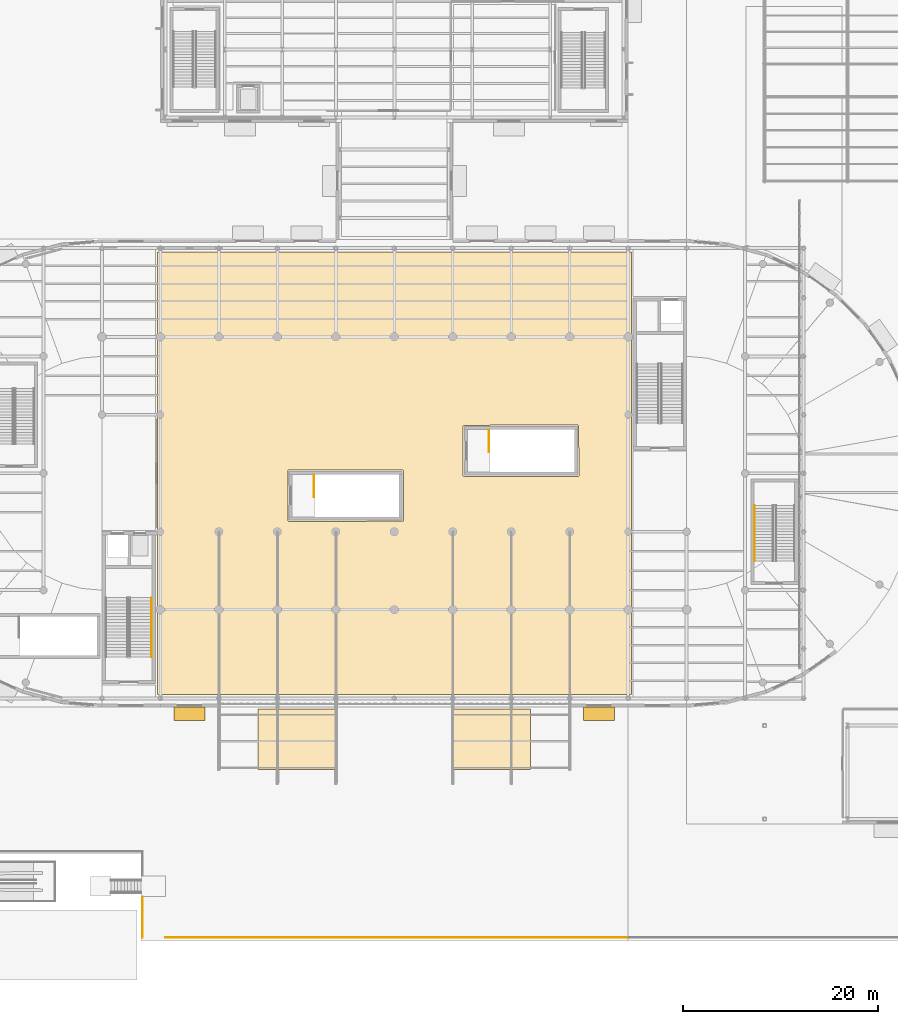
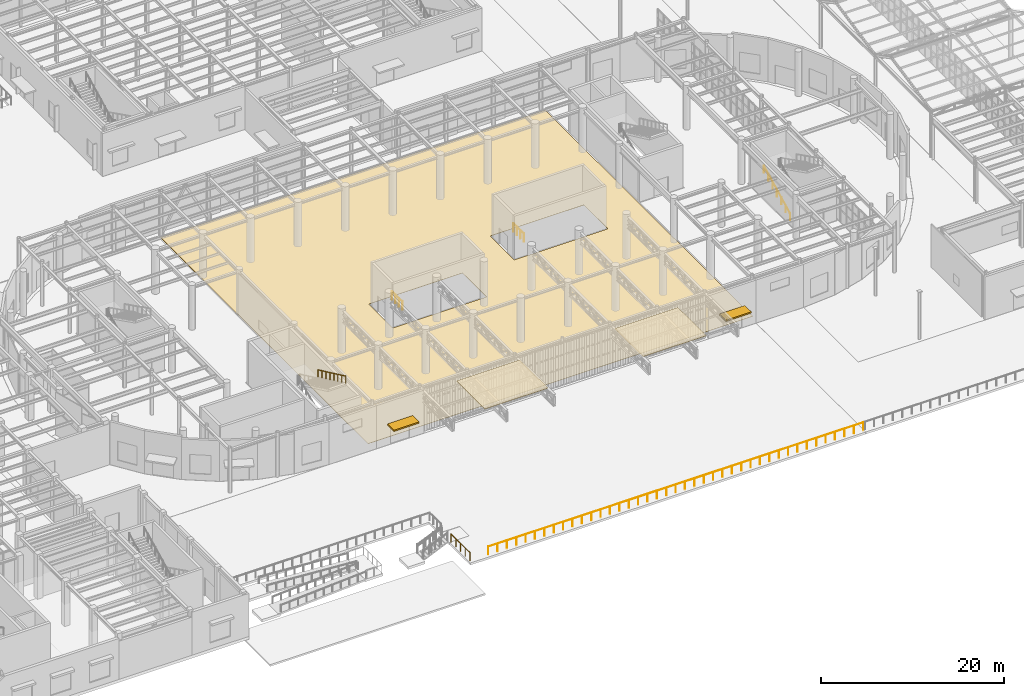
# One storey, part 107 of 118: 6 railings, 3 coverings, 2 shading devices, 2 elements without a shape of their own.
"""IFC4 building model written with IfcOpenShell, lengths in metres."""

from ifc_helpers import new_model, si_unit, direction, frame, origin, origin_2d, place, context, subcontext, project, spatial, polyline, rectangle, circle, outline, extrude, material, layer, layer_set, type_object, element, aggregate, save


model = new_model("IFC4")

# Units and contexts
model_context = context("Model", 3, precision=1e-05, world=origin(), true_north=direction((0.0, 1.0)))
body_context = subcontext(model_context, "Body", "Model", "MODEL_VIEW")
ifc_project = project(units=[si_unit("LENGTHUNIT", "METRE"), si_unit("AREAUNIT", "SQUARE_METRE"), si_unit("VOLUMEUNIT", "CUBIC_METRE"), si_unit("PLANEANGLEUNIT", "RADIAN"), si_unit("MASSUNIT", "GRAM", prefix="KILO")], contexts=[model_context])

# Site, building, storey
site_placement = place(None, origin())
site = spatial("IfcSite", under=ifc_project, at=site_placement, CompositionType="ELEMENT")
building_placement = place(site_placement, origin())
building = spatial("IfcBuilding", under=site, at=building_placement, Name="Kolvaren Corner Interchange", CompositionType="ELEMENT")
storey_placement = place(building_placement, origin())
storey = spatial("IfcBuildingStorey", under=building, at=storey_placement, Name="L01", CompositionType="ELEMENT", Elevation=0.0)

# Coverings
ifc_material_1 = material(Name="Polished Niger Delta Granite Terrazzo Flooring", Category="masonry")
ifc_layer_1 = layer(ifc_material_1, 0.030029296875)
ifc_layer_set_1 = layer_set([ifc_layer_1], Name="Polished Niger Delta Granite Terrazzo Flooring")
covering_type_1 = type_object("IfcCoveringType", Name="COV-FLR-TER30", PredefinedType="FLOORING", material=ifc_layer_set_1)
covering_1_placement = place(storey_placement, origin())
element("IfcCovering", 1, at=covering_1_placement, inside=storey, type_object=covering_type_1, Name="L01 Intermodal Grand Concourse Floor Finish", PredefinedType="FLOORING", context=body_context, shape_type="SweptSolid", body=[
    extrude(outline(polyline([(65.679931640625, 25.280029296875), (114.320068359375, 25.280029296875), (114.320068359375, 70.719970703125), (65.679931640625, 70.719970703125), (65.679931640625, 25.280029296875)]), holes=[polyline([(97.093505859375, 47.693359375), (97.070068359375, 47.75), (97.070068359375, 52.85009765625), (97.08349609375, 52.894287109375), (97.119384765625, 52.923828125), (108.85009765625, 52.929931640625), (108.894287109375, 52.91650390625), (108.923828125, 52.880615234375), (108.929931640625, 47.75), (108.91650390625, 47.70556640625), (108.880615234375, 47.676025390625), (97.14990234375, 47.669921875), (97.093505859375, 47.693359375)]), polyline([(79.093505859375, 43.093505859375), (79.070068359375, 43.14990234375), (79.070068359375, 48.25), (79.08349609375, 48.29443359375), (79.119384765625, 48.323974609375), (90.85009765625, 48.330078125), (90.894287109375, 48.31640625), (90.923828125, 48.280517578125), (90.929931640625, 43.14990234375), (90.91650390625, 43.105712890625), (90.880615234375, 43.076171875), (79.14990234375, 43.070068359375), (79.093505859375, 43.093505859375)])]), origin(), (0.0, 0.0, 1.0), 0.030029296875),
])
ifc_material_2 = material(Name="Perforated Aluminium Acoustic Soffit Panel", Category="aluminium")
ifc_layer_2 = layer(ifc_material_2, 0.044921875)
ifc_layer_set_2 = layer_set([ifc_layer_2], Name="Perforated Aluminium Acoustic Soffit Panel")
covering_type_2 = type_object("IfcCoveringType", Name="COV-SOFFIT-45", PredefinedType="CEILING", material=ifc_layer_set_2)
covering_2_placement = place(storey_placement, frame((0.0, 0.0, 5.675048828125)))
element("IfcCovering", 2, at=covering_2_placement, inside=storey, type_object=covering_type_2, Name="South Portal West Wing Acoustic Soffit", PredefinedType="CEILING", context=body_context, shape_type="SweptSolid", body=[
    extrude(outline(polyline([(76.0, 17.60009765625), (84.0, 17.60009765625), (84.0, 23.800048828125), (76.0, 23.800048828125), (76.0, 17.60009765625)])), origin(), (0.0, 0.0, 1.0), 0.044921875),
])
covering_3_placement = place(storey_placement, frame((0.0, 0.0, 5.675048828125)))
element("IfcCovering", 3, at=covering_3_placement, inside=storey, type_object=covering_type_2, Name="South Portal East Wing Acoustic Soffit", PredefinedType="CEILING", context=body_context, shape_type="SweptSolid", body=[
    extrude(outline(polyline([(96.0, 17.60009765625), (104.0, 17.60009765625), (104.0, 23.800048828125), (96.0, 23.800048828125), (96.0, 17.60009765625)])), origin(), (0.0, 0.0, 1.0), 0.044921875),
])

# Railings
ifc_material_3 = material(Name="Hot-Dip Galvanised Steel Guardrail", Category="steel")
railing_type_1 = type_object("IfcRailingType", Name="RLT-PLINTH-GRD1120", PredefinedType="GUARDRAIL", material=ifc_material_3)
railing_1_placement = place(storey_placement, frame((66.5, 0.3798828125, 0.0)))
element("IfcRailing", 4, at=railing_1_placement, inside=storey, type_object=railing_type_1, Name="South Forecourt Plinth Edge Guardrail", PredefinedType="GUARDRAIL", context=body_context, shape_type="SweptSolid", body=[
    extrude(circle(Radius=0.02392578125, at=origin_2d()), frame((0.0, 0.0, 1.09619140625), z_axis=(1.0, 0.0, 0.0), x_axis=(0.0, 1.0, 0.0)), (0.0, 0.0, 1.0), 47.39990234375),
    extrude(circle(Radius=0.02099609375, at=origin_2d()), origin(), (0.0, 0.0, 1.0), 1.072021484375),
    extrude(circle(Radius=0.02099609375, at=origin_2d()), frame((1.18505859375, 0.0, 0.0)), (0.0, 0.0, 1.0), 1.072021484375),
    extrude(circle(Radius=0.02099609375, at=origin_2d()), frame((2.3701171875, 0.0, 0.0)), (0.0, 0.0, 1.0), 1.072021484375),
    extrude(circle(Radius=0.02099609375, at=origin_2d()), frame((3.554931640625, 0.0, 0.0)), (0.0, 0.0, 1.0), 1.072021484375),
    extrude(circle(Radius=0.02099609375, at=origin_2d()), frame((4.739990234375, 0.0, 0.0)), (0.0, 0.0, 1.0), 1.072021484375),
    extrude(circle(Radius=0.02099609375, at=origin_2d()), frame((5.925048828125, 0.0, 0.0)), (0.0, 0.0, 1.0), 1.072021484375),
    extrude(circle(Radius=0.02099609375, at=origin_2d()), frame((7.10986328125, 0.0, 0.0)), (0.0, 0.0, 1.0), 1.072021484375),
    extrude(circle(Radius=0.02099609375, at=origin_2d()), frame((8.294921875, 0.0, 0.0)), (0.0, 0.0, 1.0), 1.072021484375),
    extrude(circle(Radius=0.02099609375, at=origin_2d()), frame((9.47998046875, 0.0, 0.0)), (0.0, 0.0, 1.0), 1.072021484375),
    extrude(circle(Radius=0.02099609375, at=origin_2d()), frame((10.6650390625, 0.0, 0.0)), (0.0, 0.0, 1.0), 1.072021484375),
    extrude(circle(Radius=0.02099609375, at=origin_2d()), frame((11.85009765625, 0.0, 0.0)), (0.0, 0.0, 1.0), 1.072021484375),
    extrude(circle(Radius=0.02099609375, at=origin_2d()), frame((13.034912109375, 0.0, 0.0)), (0.0, 0.0, 1.0), 1.072021484375),
    extrude(circle(Radius=0.02099609375, at=origin_2d()), frame((14.219970703125, 0.0, 0.0)), (0.0, 0.0, 1.0), 1.072021484375),
    extrude(circle(Radius=0.02099609375, at=origin_2d()), frame((15.405029296875, 0.0, 0.0)), (0.0, 0.0, 1.0), 1.072021484375),
    extrude(circle(Radius=0.02099609375, at=origin_2d()), frame((16.58984375, 0.0, 0.0)), (0.0, 0.0, 1.0), 1.072021484375),
    extrude(circle(Radius=0.02099609375, at=origin_2d()), frame((17.77490234375, 0.0, 0.0)), (0.0, 0.0, 1.0), 1.072021484375),
    extrude(circle(Radius=0.02099609375, at=origin_2d()), frame((18.9599609375, 0.0, 0.0)), (0.0, 0.0, 1.0), 1.072021484375),
    extrude(circle(Radius=0.02099609375, at=origin_2d()), frame((20.14501953125, 0.0, 0.0)), (0.0, 0.0, 1.0), 1.072021484375),
    extrude(circle(Radius=0.02099609375, at=origin_2d()), frame((21.330078125, 0.0, 0.0)), (0.0, 0.0, 1.0), 1.072021484375),
    extrude(circle(Radius=0.02099609375, at=origin_2d()), frame((22.514892578125, 0.0, 0.0)), (0.0, 0.0, 1.0), 1.072021484375),
    extrude(circle(Radius=0.02099609375, at=origin_2d()), frame((23.699951171875, 0.0, 0.0)), (0.0, 0.0, 1.0), 1.072021484375),
    extrude(circle(Radius=0.02099609375, at=origin_2d()), frame((24.885009765625, 0.0, 0.0)), (0.0, 0.0, 1.0), 1.072021484375),
    extrude(circle(Radius=0.02099609375, at=origin_2d()), frame((26.070068359375, 0.0, 0.0)), (0.0, 0.0, 1.0), 1.072021484375),
    extrude(circle(Radius=0.02099609375, at=origin_2d()), frame((27.2548828125, 0.0, 0.0)), (0.0, 0.0, 1.0), 1.072021484375),
    extrude(circle(Radius=0.02099609375, at=origin_2d()), frame((28.43994140625, 0.0, 0.0)), (0.0, 0.0, 1.0), 1.072021484375),
    extrude(circle(Radius=0.02099609375, at=origin_2d()), frame((29.625, 0.0, 0.0)), (0.0, 0.0, 1.0), 1.072021484375),
    extrude(circle(Radius=0.02099609375, at=origin_2d()), frame((30.81005859375, 0.0, 0.0)), (0.0, 0.0, 1.0), 1.072021484375),
    extrude(circle(Radius=0.02099609375, at=origin_2d()), frame((31.994873046875, 0.0, 0.0)), (0.0, 0.0, 1.0), 1.072021484375),
    extrude(circle(Radius=0.02099609375, at=origin_2d()), frame((33.179931640625, 0.0, 0.0)), (0.0, 0.0, 1.0), 1.072021484375),
    extrude(circle(Radius=0.02099609375, at=origin_2d()), frame((34.364990234375, 0.0, 0.0)), (0.0, 0.0, 1.0), 1.072021484375),
    extrude(circle(Radius=0.02099609375, at=origin_2d()), frame((35.5498046875, 0.0, 0.0)), (0.0, 0.0, 1.0), 1.072021484375),
    extrude(circle(Radius=0.02099609375, at=origin_2d()), frame((36.73486328125, 0.0, 0.0)), (0.0, 0.0, 1.0), 1.072021484375),
    extrude(circle(Radius=0.02099609375, at=origin_2d()), frame((37.919921875, 0.0, 0.0)), (0.0, 0.0, 1.0), 1.072021484375),
    extrude(circle(Radius=0.02099609375, at=origin_2d()), frame((39.10498046875, 0.0, 0.0)), (0.0, 0.0, 1.0), 1.072021484375),
    extrude(circle(Radius=0.02099609375, at=origin_2d()), frame((40.2900390625, 0.0, 0.0)), (0.0, 0.0, 1.0), 1.072021484375),
    extrude(circle(Radius=0.02099609375, at=origin_2d()), frame((41.474853515625, 0.0, 0.0)), (0.0, 0.0, 1.0), 1.072021484375),
    extrude(circle(Radius=0.02099609375, at=origin_2d()), frame((42.659912109375, 0.0, 0.0)), (0.0, 0.0, 1.0), 1.072021484375),
    extrude(circle(Radius=0.02099609375, at=origin_2d()), frame((43.844970703125, 0.0, 0.0)), (0.0, 0.0, 1.0), 1.072021484375),
    extrude(circle(Radius=0.02099609375, at=origin_2d()), frame((45.02978515625, 0.0, 0.0)), (0.0, 0.0, 1.0), 1.072021484375),
    extrude(circle(Radius=0.02099609375, at=origin_2d()), frame((46.21484375, 0.0, 0.0)), (0.0, 0.0, 1.0), 1.072021484375),
    extrude(circle(Radius=0.02099609375, at=origin_2d()), frame((47.39990234375, 0.0, 0.0)), (0.0, 0.0, 1.0), 1.072021484375),
])
railing_2_placement = place(storey_placement, frame((64.179931640625, 0.3798828125, 0.0)))
element("IfcRailing", 5, at=railing_2_placement, inside=storey, type_object=railing_type_1, Name="Southwest Ramp Cutout Lower Plinth Guardrail", PredefinedType="GUARDRAIL", context=body_context, shape_type="SweptSolid", body=[
    extrude(circle(Radius=0.02392578125, at=origin_2d()), frame((0.0, 0.0, 1.09619140625), z_axis=(0.0, 1.0, 0.0), x_axis=(-1.0, 0.0, 0.0)), (0.0, 0.0, 1.0), 4.1201171875),
    extrude(circle(Radius=0.02099609375, at=origin_2d()), origin(), (0.0, 0.0, 1.0), 1.072021484375),
    extrude(circle(Radius=0.02099609375, at=origin_2d()), frame((0.0, 1.030029296875, 0.0)), (0.0, 0.0, 1.0), 1.072021484375),
    extrude(circle(Radius=0.02099609375, at=origin_2d()), frame((0.0, 2.06005859375, 0.0)), (0.0, 0.0, 1.0), 1.072021484375),
    extrude(circle(Radius=0.02099609375, at=origin_2d()), frame((0.0, 3.090087890625, 0.0)), (0.0, 0.0, 1.0), 1.072021484375),
    extrude(circle(Radius=0.02099609375, at=origin_2d()), frame((0.0, 4.1201171875, 0.0)), (0.0, 0.0, 1.0), 1.072021484375),
])
ifc_material_4 = material(Name="Powder-Coated Steel Stairwell Guardrail", Category="steel")
railing_type_2 = type_object("IfcRailingType", Name="RLT-STAIR-GRD1120", PredefinedType="GUARDRAIL", material=ifc_material_4)
for number, where, name in (
    (6, (81.739990234375, 47.840087890625, 0.0), "Metro Island Platform West Transfer Stair L01 Landing Edge Guardrail"),
    (7, (99.739990234375, 52.43994140625, 0.0), "Metro Island Platform East Transfer Stair L01 Landing Edge Guardrail"),
):
    element("IfcRailing", number, at=place(storey_placement, frame(where)), inside=storey, type_object=railing_type_2, Name=name, PredefinedType="GUARDRAIL", context=body_context, shape_type="SweptSolid", body=[
        extrude(circle(Radius=0.02392578125, at=origin_2d()), frame((0.0, 0.0, 1.09619140625), z_axis=(0.0, -1.0, 0.0), x_axis=(1.0, 0.0, 0.0)), (0.0, 0.0, 1.0), 2.280029296875),
        extrude(circle(Radius=0.02001953125, at=origin_2d()), origin(), (0.0, 0.0, 1.0), 1.072021484375),
        extrude(circle(Radius=0.02001953125, at=origin_2d()), frame((0.0, -0.760009765625, 0.0)), (0.0, 0.0, 1.0), 1.072021484375),
        extrude(circle(Radius=0.02001953125, at=origin_2d()), frame((0.0, -1.52001953125, 0.0)), (0.0, 0.0, 1.0), 1.072021484375),
        extrude(circle(Radius=0.02001953125, at=origin_2d()), frame((0.0, -2.280029296875, 0.0)), (0.0, 0.0, 1.0), 1.072021484375),
    ])

# Stair, railing
ifc_material_5 = material(Name="Concrete C35/45", Category="concrete")
stair_type_1 = type_object("IfcStairType", Name="ST-TR-2300", PredefinedType="HALF_TURN_STAIR", material=ifc_material_5)
stair_1_placement = place(storey_placement, origin())
stair_1 = element("IfcStair", 8, at=stair_1_placement, inside=storey, type_object=stair_type_1, Name="Core C3 West Concourse Transfer Stair L01 to L02 Stair", PredefinedType="HALF_TURN_STAIR")
ifc_material_6 = material(Name="Brushed Stainless Steel Stair Handrail", Category="steel")
railing_type_3 = type_object("IfcRailingType", Name="RLT-STAIR-HR950", PredefinedType="HANDRAIL", material=ifc_material_6)
railing_3_placement = place(storey_placement, frame((65.090087890625, 35.22998046875, 3.14990234375)))
railing_3 = element("IfcRailing", 9, at=railing_3_placement, type_object=railing_type_3, Name="Core C3 West Concourse Transfer Stair L01 Upper Flight Wall Handrail", PredefinedType="HANDRAIL", context=body_context, shape_type="SweptSolid", body=[
    extrude(circle(Radius=0.02197265625, at=origin_2d()), frame((0.0, 0.0, 0.927978515625), z_axis=(0.0, -0.905455442782, 0.424441328262), x_axis=(1.0, 0.0, 0.0)), (0.0, 0.0, 1.0), 6.71484375),
    extrude(circle(Radius=0.01806640625, at=origin_2d()), origin(), (0.0, 0.0, 1.0), 0.906005859375),
    extrude(circle(Radius=0.01806640625, at=origin_2d()), frame((0.0, -0.86865234375, 0.4072265625)), (0.0, 0.0, 1.0), 0.906005859375),
    extrude(circle(Radius=0.01806640625, at=origin_2d()), frame((0.0, -1.737060546875, 0.814208984375)), (0.0, 0.0, 1.0), 0.906005859375),
    extrude(circle(Radius=0.01806640625, at=origin_2d()), frame((0.0, -2.605712890625, 1.221435546875)), (0.0, 0.0, 1.0), 0.906005859375),
    extrude(circle(Radius=0.01806640625, at=origin_2d()), frame((0.0, -3.474365234375, 1.628662109375)), (0.0, 0.0, 1.0), 0.906005859375),
    extrude(circle(Radius=0.01806640625, at=origin_2d()), frame((0.0, -4.343017578125, 2.035888671875)), (0.0, 0.0, 1.0), 0.906005859375),
    extrude(circle(Radius=0.01806640625, at=origin_2d()), frame((0.0, -5.21142578125, 2.44287109375)), (0.0, 0.0, 1.0), 0.906005859375),
    extrude(circle(Radius=0.01806640625, at=origin_2d()), frame((0.0, -6.080078125, 2.85009765625)), (0.0, 0.0, 1.0), 0.906005859375),
])
aggregate(stair_1, [railing_3])

ifc_material_7 = material(Name="Concrete C35/45", Category="concrete")
stair_type_2 = type_object("IfcStairType", Name="ST-GL-2000", PredefinedType="HALF_TURN_STAIR", material=ifc_material_7)
stair_2_placement = place(storey_placement, origin())
stair_2 = element("IfcStair", 10, at=stair_2_placement, inside=storey, type_object=stair_type_2, Name="East Racetrack Concourse Gallery Stair L01 to L02 Stair", PredefinedType="HALF_TURN_STAIR")
railing_4_placement = place(storey_placement, frame((126.9599609375, 39.0, 0.14990234375)))
railing_4 = element("IfcRailing", 11, at=railing_4_placement, type_object=railing_type_3, Name="East Racetrack Concourse Gallery Stair L01 Lower Flight Wall Handrail", PredefinedType="HANDRAIL", context=body_context, shape_type="SweptSolid", body=[
    extrude(circle(Radius=0.02197265625, at=origin_2d()), frame((0.0, 0.0, 0.927978515625), z_axis=(0.0, 0.894419528903, 0.447228919365), x_axis=(-1.0, 0.0, 0.0)), (0.0, 0.0, 1.0), 6.372802734375),
    extrude(circle(Radius=0.01806640625, at=origin_2d()), origin(), (0.0, 0.0, 1.0), 0.906005859375),
    extrude(circle(Radius=0.01806640625, at=origin_2d()), frame((0.0, 0.949951171875, 0.47509765625)), (0.0, 0.0, 1.0), 0.906005859375),
    extrude(circle(Radius=0.01806640625, at=origin_2d()), frame((0.0, 1.89990234375, 0.949951171875)), (0.0, 0.0, 1.0), 0.906005859375),
    extrude(circle(Radius=0.01806640625, at=origin_2d()), frame((0.0, 2.85009765625, 1.425048828125)), (0.0, 0.0, 1.0), 0.906005859375),
    extrude(circle(Radius=0.01806640625, at=origin_2d()), frame((0.0, 3.800048828125, 1.900146484375)), (0.0, 0.0, 1.0), 0.906005859375),
    extrude(circle(Radius=0.01806640625, at=origin_2d()), frame((0.0, 4.75, 2.375)), (0.0, 0.0, 1.0), 0.906005859375),
    extrude(circle(Radius=0.01806640625, at=origin_2d()), frame((0.0, 5.699951171875, 2.85009765625)), (0.0, 0.0, 1.0), 0.906005859375),
])
aggregate(stair_2, [railing_4])

# Shading devices
ifc_material_8 = material(Name="Anodised Aluminium Entrance Rain Canopy", Category="aluminium")
shading_device_type = type_object("IfcShadingDeviceType", Name="SHD-CAN-1400", PredefinedType="AWNING", material=ifc_material_8)
for number, where, z_axis, x_axis, name in (
    (12, (69.0, 23.324951171875, 2.66015625), (0.0, 0.0, 1.0), (1.0, 0.0, 0.0), "Entrance Monsoon Rain Canopy 018"),
    (13, (111.0, 23.324951171875, 2.66015625), (0.0, 0.0, 1.0), (1.0, 0.0, 0.0), "Entrance Monsoon Rain Canopy 019"),
):
    element("IfcShadingDevice", number, at=place(storey_placement, frame(where, z_axis=z_axis, x_axis=x_axis)), inside=storey, type_object=shading_device_type, Name=name, PredefinedType="AWNING", context=body_context, shape_type="SweptSolid", body=[
        extrude(rectangle(XDim=3.199951171875, YDim=1.39990234375, at=origin_2d()), origin(), (0.0, 0.0, 1.0), 0.179931640625),
    ])

save(model, "model.ifc")
